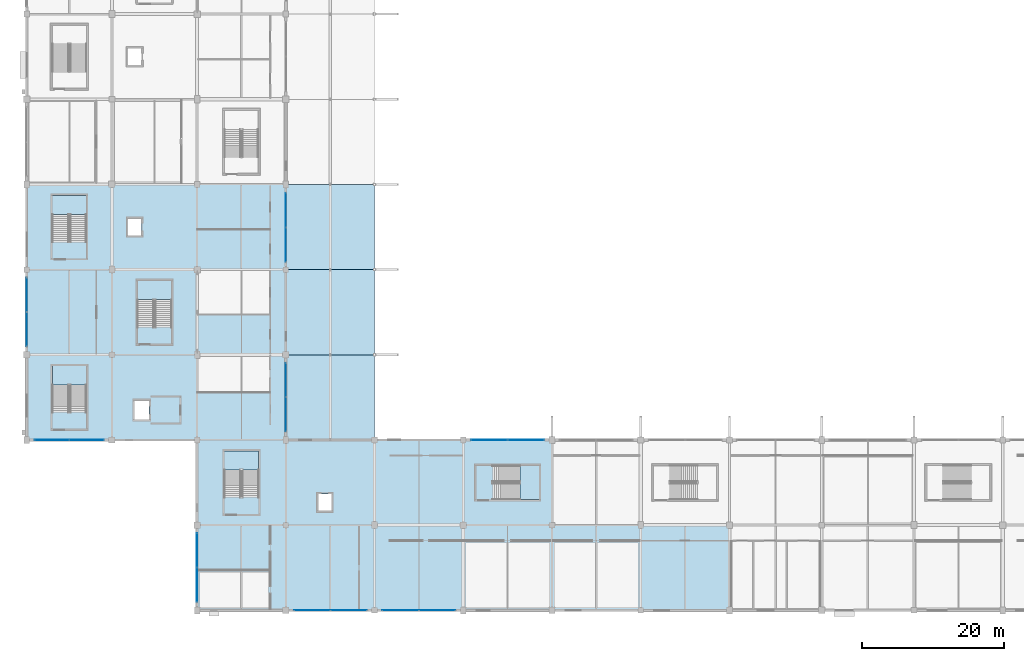
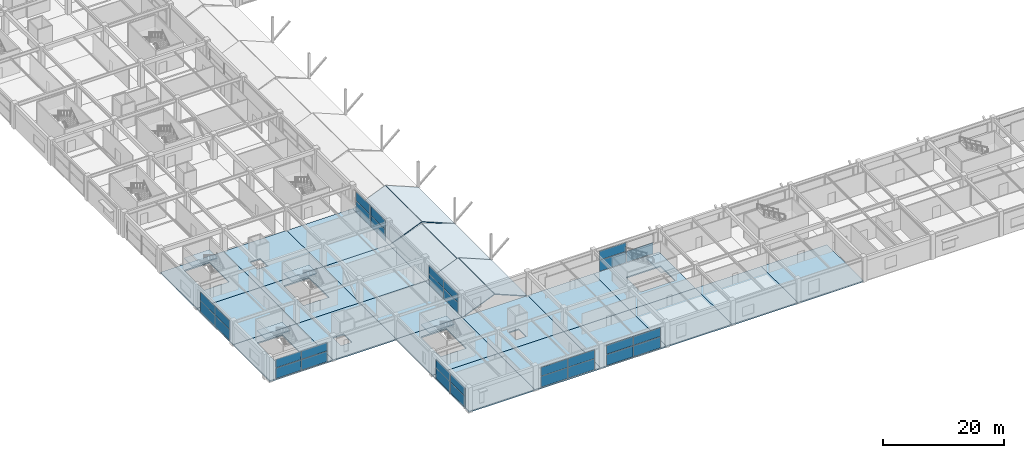
# One storey, part 55 of 116: 31 plates, 30 slabs, 13 elements without a shape of their own.
"""IFC4 building model written with IfcOpenShell, lengths in metres."""

from ifc_helpers import new_model, si_unit, direction, frame, origin, origin_2d, place, context, subcontext, project, spatial, polyline, rectangle, outline, extrude, material, layer, layer_set, type_object, element, aggregate, save


model = new_model("IFC4")

# Units and contexts
model_context = context("Model", 3, precision=1e-05, world=origin(), true_north=direction((0.0, 1.0)))
body_context = subcontext(model_context, "Body", "Model", "MODEL_VIEW")
ifc_project = project(units=[si_unit("LENGTHUNIT", "METRE"), si_unit("AREAUNIT", "SQUARE_METRE"), si_unit("VOLUMEUNIT", "CUBIC_METRE"), si_unit("PLANEANGLEUNIT", "RADIAN"), si_unit("MASSUNIT", "GRAM", prefix="KILO")], contexts=[model_context])

# Site, building, storey
site_placement = place(None, origin())
site = spatial("IfcSite", under=ifc_project, at=site_placement, CompositionType="ELEMENT")
building_placement = place(site_placement, origin())
building = spatial("IfcBuilding", under=site, at=building_placement, Name="Kazenohara Klinker Stadium", CompositionType="ELEMENT")
storey_placement = place(building_placement, frame((0.0, 0.0, 10.199951171875)))
storey = spatial("IfcBuildingStorey", under=building, at=storey_placement, Name="L02", CompositionType="ELEMENT", Elevation=10.199951171875)

# Curtain wall, plates
ifc_material_1 = material(Name="Anodised aluminium and triple glazing", Category="aluminium")
ifc_layer_1 = layer(ifc_material_1, 0.179931640625)
ifc_layer_set_1 = layer_set([ifc_layer_1], Name="Anodised aluminium and triple glazing")
curtain_wall_type_1 = type_object("IfcCurtainWallType", Name="CW-SYS-02", PredefinedType="USERDEFINED", material=ifc_layer_set_1)
curtain_wall_1_placement = place(storey_placement, origin())
curtain_wall_1 = element("IfcCurtainWall", 1, at=curtain_wall_1_placement, inside=storey, type_object=curtain_wall_type_1, Name="Unitised facade curtain wall CW02 L02 X0-3", ObjectType="UNITISED CURTAIN WALL", PredefinedType="USERDEFINED")
ifc_material_2 = material(Name="Low-e laminated triple glazing", Category="glass")
ifc_layer_2 = layer(ifc_material_2, 0.035888671875)
ifc_layer_set_2 = layer_set([ifc_layer_2], Name="Low-e laminated triple glazing")
plate_type_1 = type_object("IfcPlateType", Name="CW-PNL-36", PredefinedType="CURTAIN_PANEL", material=ifc_layer_set_2)
plate_1_placement = place(storey_placement, frame((3.53076171875, 36.0, 0.06494140625), z_axis=(0.0, 0.0, 1.0), x_axis=(1.0, 0.0, 0.0)))
plate_1 = element("IfcPlate", 2, at=plate_1_placement, type_object=plate_type_1, Name="CW02 panel 1.1", PredefinedType="CURTAIN_PANEL", context=body_context, shape_type="SweptSolid", body=[
    extrude(rectangle(XDim=4.823486328125, YDim=0.035888671875, at=origin_2d()), origin(), (0.0, 0.0, 1.0), 2.113525390625),
])
plate_2_placement = place(storey_placement, frame((3.53076171875, 36.0, 2.24365234375), z_axis=(0.0, 0.0, 1.0), x_axis=(1.0, 0.0, 0.0)))
plate_2 = element("IfcPlate", 3, at=plate_2_placement, type_object=plate_type_1, Name="CW02 panel 1.2", PredefinedType="CURTAIN_PANEL", context=body_context, shape_type="SweptSolid", body=[
    extrude(rectangle(XDim=4.823486328125, YDim=0.035888671875, at=origin_2d()), origin(), (0.0, 0.0, 1.0), 1.71142578125),
])
plate_3_placement = place(storey_placement, frame((8.419189453125, 36.0, 0.06494140625), z_axis=(0.0, 0.0, 1.0), x_axis=(1.0, 0.0, 0.0)))
plate_3 = element("IfcPlate", 4, at=plate_3_placement, type_object=plate_type_1, Name="CW02 panel 2.1", PredefinedType="CURTAIN_PANEL", context=body_context, shape_type="SweptSolid", body=[
    extrude(rectangle(XDim=4.823486328125, YDim=0.035888671875, at=origin_2d()), origin(), (0.0, 0.0, 1.0), 2.113525390625),
])
plate_4_placement = place(storey_placement, frame((8.419189453125, 36.0, 2.24365234375), z_axis=(0.0, 0.0, 1.0), x_axis=(1.0, 0.0, 0.0)))
plate_4 = element("IfcPlate", 5, at=plate_4_placement, type_object=plate_type_1, Name="CW02 panel 2.2", PredefinedType="CURTAIN_PANEL", context=body_context, shape_type="SweptSolid", body=[
    extrude(rectangle(XDim=4.823486328125, YDim=0.035888671875, at=origin_2d()), origin(), (0.0, 0.0, 1.0), 1.71142578125),
])
aggregate(curtain_wall_1, [plate_1, plate_2, plate_3, plate_4])

ifc_layer_3 = layer(ifc_material_1, 0.18994140625)
ifc_layer_set_3 = layer_set([ifc_layer_3], Name="Anodised aluminium and triple glazing")
curtain_wall_type_2 = type_object("IfcCurtainWallType", Name="CW-SYS-05", PredefinedType="USERDEFINED", material=ifc_layer_set_3)
curtain_wall_2_placement = place(storey_placement, origin())
curtain_wall_2 = element("IfcCurtainWall", 6, at=curtain_wall_2_placement, inside=storey, type_object=curtain_wall_type_2, Name="Unitised facade curtain wall CW05 L02 Y2-1", ObjectType="UNITISED CURTAIN WALL", PredefinedType="USERDEFINED")
plate_5_placement = place(storey_placement, frame((24.0, 15.605712890625, 0.06494140625), z_axis=(0.0, 0.0, 1.0), x_axis=(0.0, 1.0, 0.0)))
plate_5 = element("IfcPlate", 7, at=plate_5_placement, type_object=plate_type_1, Name="CW05 panel 1.1", PredefinedType="CURTAIN_PANEL", context=body_context, shape_type="SweptSolid", body=[
    extrude(rectangle(XDim=4.7734375, YDim=0.035888671875, at=origin_2d()), origin(), (0.0, 0.0, 1.0), 2.113525390625),
])
plate_6_placement = place(storey_placement, frame((24.0, 15.605712890625, 2.24365234375), z_axis=(0.0, 0.0, 1.0), x_axis=(0.0, 1.0, 0.0)))
plate_6 = element("IfcPlate", 8, at=plate_6_placement, type_object=plate_type_1, Name="CW05 panel 1.2", PredefinedType="CURTAIN_PANEL", context=body_context, shape_type="SweptSolid", body=[
    extrude(rectangle(XDim=4.7734375, YDim=0.035888671875, at=origin_2d()), origin(), (0.0, 0.0, 1.0), 1.71142578125),
])
plate_7_placement = place(storey_placement, frame((24.0, 20.4443359375, 0.06494140625), z_axis=(0.0, 0.0, 1.0), x_axis=(0.0, 1.0, 0.0)))
plate_7 = element("IfcPlate", 9, at=plate_7_placement, type_object=plate_type_1, Name="CW05 panel 2.1", PredefinedType="CURTAIN_PANEL", context=body_context, shape_type="SweptSolid", body=[
    extrude(rectangle(XDim=4.7734375, YDim=0.035888671875, at=origin_2d()), origin(), (0.0, 0.0, 1.0), 2.113525390625),
])
plate_8_placement = place(storey_placement, frame((24.0, 20.4443359375, 2.24365234375), z_axis=(0.0, 0.0, 1.0), x_axis=(0.0, 1.0, 0.0)))
plate_8 = element("IfcPlate", 10, at=plate_8_placement, type_object=plate_type_1, Name="CW05 panel 2.2", PredefinedType="CURTAIN_PANEL", context=body_context, shape_type="SweptSolid", body=[
    extrude(rectangle(XDim=4.7734375, YDim=0.035888671875, at=origin_2d()), origin(), (0.0, 0.0, 1.0), 1.71142578125),
])
aggregate(curtain_wall_2, [plate_5, plate_6, plate_7, plate_8])

curtain_wall_3_placement = place(storey_placement, origin())
curtain_wall_3 = element("IfcCurtainWall", 11, at=curtain_wall_3_placement, inside=storey, type_object=curtain_wall_type_1, Name="Unitised facade curtain wall CW02 L02 Y3-5", ObjectType="UNITISED CURTAIN WALL", PredefinedType="USERDEFINED")
plate_9_placement = place(storey_placement, frame((36.5, 63.518310546875, 0.065185546875), z_axis=(0.0, 0.0, 1.0), x_axis=(0.0, 1.0, 0.0)))
plate_9 = element("IfcPlate", 12, at=plate_9_placement, type_object=plate_type_1, Name="CW02 panel 1.1", PredefinedType="CURTAIN_PANEL", context=body_context, shape_type="SweptSolid", body=[
    extrude(rectangle(XDim=4.798583984375, YDim=0.035888671875, at=origin_2d()), origin(), (0.0, 0.0, 1.0), 2.22998046875),
])
plate_10_placement = place(storey_placement, frame((36.5, 63.518310546875, 2.3603515625), z_axis=(0.0, 0.0, 1.0), x_axis=(0.0, 1.0, 0.0)))
plate_10 = element("IfcPlate", 13, at=plate_10_placement, type_object=plate_type_1, Name="CW02 panel 1.2", PredefinedType="CURTAIN_PANEL", context=body_context, shape_type="SweptSolid", body=[
    extrude(rectangle(XDim=4.798583984375, YDim=0.035888671875, at=origin_2d()), origin(), (0.0, 0.0, 1.0), 1.806884765625),
])
plate_11_placement = place(storey_placement, frame((36.5, 68.3818359375, 0.065185546875), z_axis=(0.0, 0.0, 1.0), x_axis=(0.0, 1.0, 0.0)))
plate_11 = element("IfcPlate", 14, at=plate_11_placement, type_object=plate_type_1, Name="CW02 panel 2.1", PredefinedType="CURTAIN_PANEL", context=body_context, shape_type="SweptSolid", body=[
    extrude(rectangle(XDim=4.798583984375, YDim=0.035888671875, at=origin_2d()), origin(), (0.0, 0.0, 1.0), 2.22998046875),
])
plate_12_placement = place(storey_placement, frame((36.5, 68.3818359375, 2.3603515625), z_axis=(0.0, 0.0, 1.0), x_axis=(0.0, 1.0, 0.0)))
plate_12 = element("IfcPlate", 15, at=plate_12_placement, type_object=plate_type_1, Name="CW02 panel 2.2", PredefinedType="CURTAIN_PANEL", context=body_context, shape_type="SweptSolid", body=[
    extrude(rectangle(XDim=4.798583984375, YDim=0.035888671875, at=origin_2d()), origin(), (0.0, 0.0, 1.0), 1.806884765625),
])
aggregate(curtain_wall_3, [plate_9, plate_10, plate_11, plate_12])

ifc_layer_4 = layer(ifc_material_1, 0.199951171875)
ifc_layer_set_4 = layer_set([ifc_layer_4], Name="Anodised aluminium and triple glazing")
curtain_wall_type_3 = type_object("IfcCurtainWallType", Name="CW-SYS-03", PredefinedType="USERDEFINED", material=ifc_layer_set_4)
curtain_wall_4_placement = place(storey_placement, origin())
curtain_wall_4 = element("IfcCurtainWall", 16, at=curtain_wall_4_placement, inside=storey, type_object=curtain_wall_type_3, Name="Unitised facade curtain wall CW03 L02 X4-1", ObjectType="UNITISED CURTAIN WALL", PredefinedType="USERDEFINED")
plate_13_placement = place(storey_placement, frame((52.668212890625, 12.0, 0.06494140625), z_axis=(0.0, 0.0, 1.0), x_axis=(1.0, 0.0, 0.0)))
plate_13 = element("IfcPlate", 17, at=plate_13_placement, type_object=plate_type_1, Name="CW03 panel 1.1", PredefinedType="CURTAIN_PANEL", context=body_context, shape_type="SweptSolid", body=[
    extrude(rectangle(XDim=5.098388671875, YDim=0.035888671875, at=origin_2d()), origin(), (0.0, 0.0, 1.0), 2.223388671875),
])
plate_14_placement = place(storey_placement, frame((52.668212890625, 12.0, 2.353515625), z_axis=(0.0, 0.0, 1.0), x_axis=(1.0, 0.0, 0.0)))
plate_14 = element("IfcPlate", 18, at=plate_14_placement, type_object=plate_type_1, Name="CW03 panel 1.2", PredefinedType="CURTAIN_PANEL", context=body_context, shape_type="SweptSolid", body=[
    extrude(rectangle(XDim=5.098388671875, YDim=0.035888671875, at=origin_2d()), origin(), (0.0, 0.0, 1.0), 1.801513671875),
])
plate_15_placement = place(storey_placement, frame((57.831787109375, 12.0, 0.06494140625), z_axis=(0.0, 0.0, 1.0), x_axis=(1.0, 0.0, 0.0)))
plate_15 = element("IfcPlate", 19, at=plate_15_placement, type_object=plate_type_1, Name="CW03 panel 2.1", PredefinedType="CURTAIN_PANEL", context=body_context, shape_type="SweptSolid", body=[
    extrude(rectangle(XDim=5.098388671875, YDim=0.035888671875, at=origin_2d()), origin(), (0.0, 0.0, 1.0), 2.223388671875),
])
plate_16_placement = place(storey_placement, frame((57.831787109375, 12.0, 2.353515625), z_axis=(0.0, 0.0, 1.0), x_axis=(1.0, 0.0, 0.0)))
plate_16 = element("IfcPlate", 20, at=plate_16_placement, type_object=plate_type_1, Name="CW03 panel 2.2", PredefinedType="CURTAIN_PANEL", context=body_context, shape_type="SweptSolid", body=[
    extrude(rectangle(XDim=5.098388671875, YDim=0.035888671875, at=origin_2d()), origin(), (0.0, 0.0, 1.0), 1.801513671875),
])
aggregate(curtain_wall_4, [plate_13, plate_14, plate_15, plate_16])

curtain_wall_5_placement = place(storey_placement, origin())
curtain_wall_5 = element("IfcCurtainWall", 21, at=curtain_wall_5_placement, inside=storey, type_object=curtain_wall_type_1, Name="Unitised facade curtain wall CW02 L02 X5-3", ObjectType="UNITISED CURTAIN WALL", PredefinedType="USERDEFINED")
plate_17_placement = place(storey_placement, frame((65.168212890625, 36.0, 0.06494140625), z_axis=(0.0, 0.0, 1.0), x_axis=(1.0, 0.0, 0.0)))
plate_17 = element("IfcPlate", 22, at=plate_17_placement, type_object=plate_type_1, Name="CW02 panel 1.1", PredefinedType="CURTAIN_PANEL", context=body_context, shape_type="SweptSolid", body=[
    extrude(rectangle(XDim=5.098388671875, YDim=0.035888671875, at=origin_2d()), origin(), (0.0, 0.0, 1.0), 2.223388671875),
])
plate_18_placement = place(storey_placement, frame((65.168212890625, 36.0, 2.353515625), z_axis=(0.0, 0.0, 1.0), x_axis=(1.0, 0.0, 0.0)))
plate_18 = element("IfcPlate", 23, at=plate_18_placement, type_object=plate_type_1, Name="CW02 panel 1.2", PredefinedType="CURTAIN_PANEL", context=body_context, shape_type="SweptSolid", body=[
    extrude(rectangle(XDim=5.098388671875, YDim=0.035888671875, at=origin_2d()), origin(), (0.0, 0.0, 1.0), 1.801513671875),
])
plate_19_placement = place(storey_placement, frame((70.331787109375, 36.0, 0.06494140625), z_axis=(0.0, 0.0, 1.0), x_axis=(1.0, 0.0, 0.0)))
plate_19 = element("IfcPlate", 24, at=plate_19_placement, type_object=plate_type_1, Name="CW02 panel 2.1", PredefinedType="CURTAIN_PANEL", context=body_context, shape_type="SweptSolid", body=[
    extrude(rectangle(XDim=5.098388671875, YDim=0.035888671875, at=origin_2d()), origin(), (0.0, 0.0, 1.0), 2.223388671875),
])
aggregate(curtain_wall_5, [plate_17, plate_18, plate_19])

curtain_wall_6_placement = place(storey_placement, origin())
curtain_wall_6 = element("IfcCurtainWall", 25, at=curtain_wall_6_placement, inside=storey, type_object=curtain_wall_type_3, Name="Unitised facade curtain wall CW03 L02 Y0-4", ObjectType="UNITISED CURTAIN WALL", PredefinedType="USERDEFINED")
ifc_layer_5 = layer(ifc_material_2, 0.0439453125)
ifc_layer_set_5 = layer_set([ifc_layer_5], Name="Low-e laminated triple glazing")
plate_type_2 = type_object("IfcPlateType", Name="CW-PNL-44", PredefinedType="CURTAIN_PANEL", material=ifc_layer_set_5)
plate_20_placement = place(storey_placement, frame((0.0, 51.583251953125, 0.0751953125), z_axis=(0.0, 0.0, 1.0), x_axis=(0.0, 1.0, 0.0)))
plate_20 = element("IfcPlate", 26, at=plate_20_placement, type_object=plate_type_2, Name="CW03 panel 1.1", PredefinedType="CURTAIN_PANEL", context=body_context, shape_type="SweptSolid", body=[
    extrude(rectangle(XDim=4.80859375, YDim=0.0439453125, at=origin_2d()), origin(), (0.0, 0.0, 1.0), 2.153564453125),
])
plate_21_placement = place(storey_placement, frame((0.0, 51.583251953125, 2.3037109375), z_axis=(0.0, 0.0, 1.0), x_axis=(0.0, 1.0, 0.0)))
plate_21 = element("IfcPlate", 27, at=plate_21_placement, type_object=plate_type_2, Name="CW03 panel 1.2", PredefinedType="CURTAIN_PANEL", context=body_context, shape_type="SweptSolid", body=[
    extrude(rectangle(XDim=4.80859375, YDim=0.0439453125, at=origin_2d()), origin(), (0.0, 0.0, 1.0), 1.741455078125),
])
plate_22_placement = place(storey_placement, frame((0.0, 56.466796875, 0.0751953125), z_axis=(0.0, 0.0, 1.0), x_axis=(0.0, 1.0, 0.0)))
plate_22 = element("IfcPlate", 28, at=plate_22_placement, type_object=plate_type_2, Name="CW03 panel 2.1", PredefinedType="CURTAIN_PANEL", context=body_context, shape_type="SweptSolid", body=[
    extrude(rectangle(XDim=4.80859375, YDim=0.0439453125, at=origin_2d()), origin(), (0.0, 0.0, 1.0), 2.153564453125),
])
plate_23_placement = place(storey_placement, frame((0.0, 56.466796875, 2.3037109375), z_axis=(0.0, 0.0, 1.0), x_axis=(0.0, 1.0, 0.0)))
plate_23 = element("IfcPlate", 29, at=plate_23_placement, type_object=plate_type_2, Name="CW03 panel 2.2", PredefinedType="CURTAIN_PANEL", context=body_context, shape_type="SweptSolid", body=[
    extrude(rectangle(XDim=4.80859375, YDim=0.0439453125, at=origin_2d()), origin(), (0.0, 0.0, 1.0), 1.741455078125),
])
aggregate(curtain_wall_6, [plate_20, plate_21, plate_22, plate_23])

ifc_layer_6 = layer(ifc_material_1, 0.159912109375)
ifc_layer_set_6 = layer_set([ifc_layer_6], Name="Anodised aluminium and triple glazing")
curtain_wall_type_4 = type_object("IfcCurtainWallType", Name="CW-SYS-01", PredefinedType="USERDEFINED", material=ifc_layer_set_6)
curtain_wall_7_placement = place(storey_placement, origin())
curtain_wall_7 = element("IfcCurtainWall", 30, at=curtain_wall_7_placement, inside=storey, type_object=curtain_wall_type_4, Name="Unitised facade curtain wall CW01 L02 Y3-3", ObjectType="UNITISED CURTAIN WALL", PredefinedType="USERDEFINED")
plate_24_placement = place(storey_placement, frame((36.5, 39.608154296875, 0.0751953125), z_axis=(0.0, 0.0, 1.0), x_axis=(0.0, 1.0, 0.0)))
plate_24 = element("IfcPlate", 31, at=plate_24_placement, type_object=plate_type_2, Name="CW01 panel 1.1", PredefinedType="CURTAIN_PANEL", context=body_context, shape_type="SweptSolid", body=[
    extrude(rectangle(XDim=4.758544921875, YDim=0.0439453125, at=origin_2d()), origin(), (0.0, 0.0, 1.0), 2.098388671875),
])
plate_25_placement = place(storey_placement, frame((36.5, 39.608154296875, 2.24853515625), z_axis=(0.0, 0.0, 1.0), x_axis=(0.0, 1.0, 0.0)))
plate_25 = element("IfcPlate", 32, at=plate_25_placement, type_object=plate_type_2, Name="CW01 panel 1.2", PredefinedType="CURTAIN_PANEL", context=body_context, shape_type="SweptSolid", body=[
    extrude(rectangle(XDim=4.758544921875, YDim=0.0439453125, at=origin_2d()), origin(), (0.0, 0.0, 1.0), 1.696533203125),
])
plate_26_placement = place(storey_placement, frame((36.5, 44.441650390625, 0.0751953125), z_axis=(0.0, 0.0, 1.0), x_axis=(0.0, 1.0, 0.0)))
plate_26 = element("IfcPlate", 33, at=plate_26_placement, type_object=plate_type_2, Name="CW01 panel 2.1", PredefinedType="CURTAIN_PANEL", context=body_context, shape_type="SweptSolid", body=[
    extrude(rectangle(XDim=4.758544921875, YDim=0.0439453125, at=origin_2d()), origin(), (0.0, 0.0, 1.0), 2.098388671875),
])
plate_27_placement = place(storey_placement, frame((36.5, 44.441650390625, 2.24853515625), z_axis=(0.0, 0.0, 1.0), x_axis=(0.0, 1.0, 0.0)))
plate_27 = element("IfcPlate", 34, at=plate_27_placement, type_object=plate_type_2, Name="CW01 panel 2.2", PredefinedType="CURTAIN_PANEL", context=body_context, shape_type="SweptSolid", body=[
    extrude(rectangle(XDim=4.758544921875, YDim=0.0439453125, at=origin_2d()), origin(), (0.0, 0.0, 1.0), 1.696533203125),
])
aggregate(curtain_wall_7, [plate_24, plate_25, plate_26, plate_27])

curtain_wall_8_placement = place(storey_placement, origin())
curtain_wall_8 = element("IfcCurtainWall", 35, at=curtain_wall_8_placement, inside=storey, type_object=curtain_wall_type_1, Name="Unitised facade curtain wall CW02 L02 X3-1", ObjectType="UNITISED CURTAIN WALL", PredefinedType="USERDEFINED")
plate_28_placement = place(storey_placement, frame((40.208251953125, 12.0, 0.0751953125), z_axis=(0.0, 0.0, 1.0), x_axis=(1.0, 0.0, 0.0)))
plate_28 = element("IfcPlate", 36, at=plate_28_placement, type_object=plate_type_2, Name="CW02 panel 1.1", PredefinedType="CURTAIN_PANEL", context=body_context, shape_type="SweptSolid", body=[
    extrude(rectangle(XDim=5.05859375, YDim=0.0439453125, at=origin_2d()), origin(), (0.0, 0.0, 1.0), 2.153564453125),
])
plate_29_placement = place(storey_placement, frame((40.208251953125, 12.0, 2.3037109375), z_axis=(0.0, 0.0, 1.0), x_axis=(1.0, 0.0, 0.0)))
plate_29 = element("IfcPlate", 37, at=plate_29_placement, type_object=plate_type_2, Name="CW02 panel 1.2", PredefinedType="CURTAIN_PANEL", context=body_context, shape_type="SweptSolid", body=[
    extrude(rectangle(XDim=5.05859375, YDim=0.0439453125, at=origin_2d()), origin(), (0.0, 0.0, 1.0), 1.741455078125),
])
plate_30_placement = place(storey_placement, frame((45.341796875, 12.0, 0.0751953125), z_axis=(0.0, 0.0, 1.0), x_axis=(1.0, 0.0, 0.0)))
plate_30 = element("IfcPlate", 38, at=plate_30_placement, type_object=plate_type_2, Name="CW02 panel 2.1", PredefinedType="CURTAIN_PANEL", context=body_context, shape_type="SweptSolid", body=[
    extrude(rectangle(XDim=5.05859375, YDim=0.0439453125, at=origin_2d()), origin(), (0.0, 0.0, 1.0), 2.153564453125),
])
plate_31_placement = place(storey_placement, frame((45.341796875, 12.0, 2.3037109375), z_axis=(0.0, 0.0, 1.0), x_axis=(1.0, 0.0, 0.0)))
plate_31 = element("IfcPlate", 39, at=plate_31_placement, type_object=plate_type_2, Name="CW02 panel 2.2", PredefinedType="CURTAIN_PANEL", context=body_context, shape_type="SweptSolid", body=[
    extrude(rectangle(XDim=5.05859375, YDim=0.0439453125, at=origin_2d()), origin(), (0.0, 0.0, 1.0), 1.741455078125),
])
aggregate(curtain_wall_8, [plate_28, plate_29, plate_30, plate_31])

# Slabs
ifc_material_3 = material(Name="Concrete C40/50", Category="concrete")
ifc_layer_7 = layer(ifc_material_3, 0.25)
ifc_layer_set_7 = layer_set([ifc_layer_7], Name="Concrete C40/50")
slab_type_1 = type_object("IfcSlabType", Name="SLB-FLR-250", PredefinedType="FLOOR", material=ifc_layer_set_7)
slab_1_placement = place(storey_placement, frame((0.0, 0.0, -0.25)))
element("IfcSlab", 40, at=slab_1_placement, inside=storey, type_object=slab_type_1, Name="Floor slab FS03 L02 1/D", PredefinedType="FLOOR", context=body_context, shape_type="SweptSolid", body=[
    extrude(outline(polyline([(0.0, 36.0), (12.0, 36.0), (12.0, 48.0), (0.0, 48.0), (0.0, 36.0)]), holes=[polyline([(8.39990234375, 39.919921875), (8.39990234375, 46.4599609375), (3.60009765625, 46.4599609375), (3.60009765625, 39.919921875), (8.39990234375, 39.919921875)])]), origin(), (0.0, 0.0, 1.0), 0.25),
])
slab_2_placement = place(storey_placement, frame((0.0, 0.0, -0.25)))
element("IfcSlab", 41, at=slab_2_placement, inside=storey, type_object=slab_type_1, Name="Floor slab FS03 L02 1/E", PredefinedType="FLOOR", context=body_context, shape_type="SweptSolid", body=[
    extrude(outline(polyline([(0.0, 48.0), (12.0, 48.0), (12.0, 60.0), (0.0, 60.0), (0.0, 48.0)])), origin(), (0.0, 0.0, 1.0), 0.25),
])
slab_3_placement = place(storey_placement, frame((0.0, 0.0, -0.25)))
element("IfcSlab", 42, at=slab_3_placement, inside=storey, type_object=slab_type_1, Name="Floor slab FS03 L02 1/F", PredefinedType="FLOOR", context=body_context, shape_type="SweptSolid", body=[
    extrude(outline(polyline([(0.0, 60.0), (12.0, 60.0), (12.0, 72.0), (0.0, 72.0), (0.0, 60.0)]), holes=[polyline([(8.409912109375, 63.929931640625), (8.409912109375, 70.4599609375), (3.590087890625, 70.4599609375), (3.590087890625, 63.929931640625), (8.409912109375, 63.929931640625)])]), origin(), (0.0, 0.0, 1.0), 0.25),
])
slab_4_placement = place(storey_placement, frame((0.0, 0.0, -0.25)))
element("IfcSlab", 43, at=slab_4_placement, inside=storey, type_object=slab_type_1, Name="Floor slab FS03 L02 2/D", PredefinedType="FLOOR", context=body_context, shape_type="SweptSolid", body=[
    extrude(outline(polyline([(12.0, 36.0), (24.0, 36.0), (24.0, 48.0), (12.0, 48.0), (12.0, 36.0)]), holes=[polyline([(15.14990234375, 38.85009765625), (17.25, 38.85009765625), (17.25, 41.550048828125), (15.14990234375, 41.550048828125), (15.14990234375, 38.85009765625)])]), origin(), (0.0, 0.0, 1.0), 0.25),
])
slab_5_placement = place(storey_placement, frame((0.0, 0.0, -0.25)))
element("IfcSlab", 44, at=slab_5_placement, inside=storey, type_object=slab_type_1, Name="Floor slab FS03 L02 2/E", PredefinedType="FLOOR", context=body_context, shape_type="SweptSolid", body=[
    extrude(outline(polyline([(12.0, 48.0), (24.0, 48.0), (24.0, 60.0), (12.0, 60.0), (12.0, 48.0)]), holes=[polyline([(20.39990234375, 51.919921875), (20.39990234375, 58.4599609375), (15.60009765625, 58.4599609375), (15.60009765625, 51.919921875), (20.39990234375, 51.919921875)])]), origin(), (0.0, 0.0, 1.0), 0.25),
])
slab_6_placement = place(storey_placement, frame((0.0, 0.0, -0.25)))
element("IfcSlab", 45, at=slab_6_placement, inside=storey, type_object=slab_type_1, Name="Floor slab FS03 L02 2/F", PredefinedType="FLOOR", context=body_context, shape_type="SweptSolid", body=[
    extrude(outline(polyline([(12.0, 60.0), (24.0, 60.0), (24.0, 72.0), (12.0, 72.0), (12.0, 60.0)]), holes=[polyline([(14.25, 64.800048828125), (16.14990234375, 64.800048828125), (16.14990234375, 67.199951171875), (14.25, 67.199951171875), (14.25, 64.800048828125)])]), origin(), (0.0, 0.0, 1.0), 0.25),
])
slab_7_placement = place(storey_placement, frame((0.0, 0.0, -0.25)))
element("IfcSlab", 46, at=slab_7_placement, inside=storey, type_object=slab_type_1, Name="Floor slab FS03 L02 3/B", PredefinedType="FLOOR", context=body_context, shape_type="SweptSolid", body=[
    extrude(outline(polyline([(24.0, 12.0), (36.5, 12.0), (36.5, 24.0), (24.0, 24.0), (24.0, 12.0)])), origin(), (0.0, 0.0, 1.0), 0.25),
])
slab_8_placement = place(storey_placement, frame((0.0, 0.0, -0.25)))
element("IfcSlab", 47, at=slab_8_placement, inside=storey, type_object=slab_type_1, Name="Floor slab FS03 L02 3/C", PredefinedType="FLOOR", context=body_context, shape_type="SweptSolid", body=[
    extrude(outline(polyline([(24.0, 24.0), (36.5, 24.0), (36.5, 36.0), (24.0, 36.0), (24.0, 24.0)]), holes=[polyline([(32.679931640625, 27.949951171875), (32.679931640625, 34.4599609375), (27.820068359375, 34.4599609375), (27.820068359375, 27.949951171875), (32.679931640625, 27.949951171875)])]), origin(), (0.0, 0.0, 1.0), 0.25),
])
slab_9_placement = place(storey_placement, frame((0.0, 0.0, -0.25)))
element("IfcSlab", 48, at=slab_9_placement, inside=storey, type_object=slab_type_1, Name="Floor slab FS03 L02 3/D", PredefinedType="FLOOR", context=body_context, shape_type="SweptSolid", body=[
    extrude(outline(polyline([(24.0, 36.0), (36.5, 36.0), (36.5, 48.0), (24.0, 48.0), (24.0, 36.0)])), origin(), (0.0, 0.0, 1.0), 0.25),
])
slab_10_placement = place(storey_placement, frame((0.0, 0.0, -0.25)))
element("IfcSlab", 49, at=slab_10_placement, inside=storey, type_object=slab_type_1, Name="Floor slab FS03 L02 3/E", PredefinedType="FLOOR", context=body_context, shape_type="SweptSolid", body=[
    extrude(outline(polyline([(24.0, 48.0), (36.5, 48.0), (36.5, 60.0), (24.0, 60.0), (24.0, 48.0)])), origin(), (0.0, 0.0, 1.0), 0.25),
])
slab_11_placement = place(storey_placement, frame((0.0, 0.0, -0.25)))
element("IfcSlab", 50, at=slab_11_placement, inside=storey, type_object=slab_type_1, Name="Floor slab FS03 L02 3/F", PredefinedType="FLOOR", context=body_context, shape_type="SweptSolid", body=[
    extrude(outline(polyline([(24.0, 60.0), (36.5, 60.0), (36.5, 72.0), (24.0, 72.0), (24.0, 60.0)])), origin(), (0.0, 0.0, 1.0), 0.25),
])
slab_12_placement = place(storey_placement, frame((0.0, 0.0, -0.25)))
element("IfcSlab", 51, at=slab_12_placement, inside=storey, type_object=slab_type_1, Name="Floor slab FS03 L02 4/B", PredefinedType="FLOOR", context=body_context, shape_type="SweptSolid", body=[
    extrude(outline(polyline([(36.5, 12.0), (49.0, 12.0), (49.0, 24.0), (36.5, 24.0), (36.5, 12.0)])), origin(), (0.0, 0.0, 1.0), 0.25),
])
slab_13_placement = place(storey_placement, frame((0.0, 0.0, -0.25)))
element("IfcSlab", 52, at=slab_13_placement, inside=storey, type_object=slab_type_1, Name="Floor slab FS03 L02 4/C", PredefinedType="FLOOR", context=body_context, shape_type="SweptSolid", body=[
    extrude(outline(polyline([(36.5, 24.0), (49.0, 24.0), (49.0, 36.0), (36.5, 36.0), (36.5, 24.0)]), holes=[polyline([(41.050048828125, 26.0), (42.949951171875, 26.0), (42.949951171875, 28.39990234375), (41.050048828125, 28.39990234375), (41.050048828125, 26.0)])]), origin(), (0.0, 0.0, 1.0), 0.25),
])
slab_14_placement = place(storey_placement, frame((0.0, 0.0, -0.25)))
element("IfcSlab", 53, at=slab_14_placement, inside=storey, type_object=slab_type_1, Name="Floor slab FS03 L02 5/B", PredefinedType="FLOOR", context=body_context, shape_type="SweptSolid", body=[
    extrude(outline(polyline([(49.0, 12.0), (61.5, 12.0), (61.5, 24.0), (49.0, 24.0), (49.0, 12.0)])), origin(), (0.0, 0.0, 1.0), 0.25),
])
slab_15_placement = place(storey_placement, frame((0.0, 0.0, -0.25)))
element("IfcSlab", 54, at=slab_15_placement, inside=storey, type_object=slab_type_1, Name="Floor slab FS03 L02 5/C", PredefinedType="FLOOR", context=body_context, shape_type="SweptSolid", body=[
    extrude(outline(polyline([(49.0, 24.0), (61.5, 24.0), (61.5, 36.0), (49.0, 36.0), (49.0, 24.0)])), origin(), (0.0, 0.0, 1.0), 0.25),
])
slab_16_placement = place(storey_placement, frame((0.0, 0.0, -0.25)))
element("IfcSlab", 55, at=slab_16_placement, inside=storey, type_object=slab_type_1, Name="Floor slab FS03 L02 6/B", PredefinedType="FLOOR", context=body_context, shape_type="SweptSolid", body=[
    extrude(outline(polyline([(61.5, 12.0), (74.0, 12.0), (74.0, 24.0), (61.5, 24.0), (61.5, 12.0)])), origin(), (0.0, 0.0, 1.0), 0.25),
])
slab_17_placement = place(storey_placement, frame((0.0, 0.0, -0.25)))
element("IfcSlab", 56, at=slab_17_placement, inside=storey, type_object=slab_type_1, Name="Floor slab FS03 L02 6/C", PredefinedType="FLOOR", context=body_context, shape_type="SweptSolid", body=[
    extrude(outline(polyline([(61.5, 24.0), (74.0, 24.0), (74.0, 36.0), (61.5, 36.0), (61.5, 24.0)]), holes=[polyline([(65.669921875, 27.60009765625), (72.2099609375, 27.60009765625), (72.2099609375, 32.39990234375), (65.669921875, 32.39990234375), (65.669921875, 27.60009765625)])]), origin(), (0.0, 0.0, 1.0), 0.25),
])
slab_18_placement = place(storey_placement, frame((0.0, 0.0, -0.25)))
element("IfcSlab", 57, at=slab_18_placement, inside=storey, type_object=slab_type_1, Name="Floor slab FS03 L02 7/B", PredefinedType="FLOOR", context=body_context, shape_type="SweptSolid", body=[
    extrude(outline(polyline([(74.0, 12.0), (86.5, 12.0), (86.5, 24.0), (74.0, 24.0), (74.0, 12.0)])), origin(), (0.0, 0.0, 1.0), 0.25),
])
slab_19_placement = place(storey_placement, frame((0.0, 0.0, -0.25)))
element("IfcSlab", 58, at=slab_19_placement, inside=storey, type_object=slab_type_1, Name="Floor slab FS03 L02 8/B", PredefinedType="FLOOR", context=body_context, shape_type="SweptSolid", body=[
    extrude(outline(polyline([(86.5, 12.0), (99.0, 12.0), (99.0, 24.0), (86.5, 24.0), (86.5, 12.0)])), origin(), (0.0, 0.0, 1.0), 0.25),
])

# Stair, slab
stair_type_1 = type_object("IfcStairType", Name="STR-DL-2300", PredefinedType="HALF_TURN_STAIR", material=ifc_material_3)
stair_1_placement = place(storey_placement, origin())
stair_1 = element("IfcStair", 59, at=stair_1_placement, inside=storey, type_object=stair_type_1, Name="L02 Enclosed escape stair ST01", PredefinedType="HALF_TURN_STAIR")
ifc_layer_8 = layer(ifc_material_3, 0.199951171875)
ifc_layer_set_8 = layer_set([ifc_layer_8], Name="Concrete C40/50")
slab_type_2 = type_object("IfcSlabType", Name="SLB-LND-200", PredefinedType="LANDING", material=ifc_layer_set_8)
slab_20_placement = place(storey_placement, frame((0.0, 0.0, 2.35009765625)))
slab_20 = element("IfcSlab", 60, at=slab_20_placement, type_object=slab_type_2, Name="ST01 landing 1", PredefinedType="LANDING", context=body_context, shape_type="SweptSolid", body=[
    extrude(outline(polyline([(8.39990234375, 43.760009765625), (8.39990234375, 46.4599609375), (3.60009765625, 46.4599609375), (3.60009765625, 43.760009765625), (8.39990234375, 43.760009765625)])), origin(), (0.0, 0.0, 1.0), 0.199951171875),
])
aggregate(stair_1, [slab_20])

stair_type_2 = type_object("IfcStairType", Name="STR-DL-2310", PredefinedType="HALF_TURN_STAIR", material=ifc_material_3)
stair_2_placement = place(storey_placement, origin())
stair_2 = element("IfcStair", 61, at=stair_2_placement, inside=storey, type_object=stair_type_2, Name="L02 Enclosed escape stair ST02", PredefinedType="HALF_TURN_STAIR")
slab_21_placement = place(storey_placement, frame((0.0, 0.0, 2.35009765625)))
slab_21 = element("IfcSlab", 62, at=slab_21_placement, type_object=slab_type_2, Name="ST02 landing 1", PredefinedType="LANDING", context=body_context, shape_type="SweptSolid", body=[
    extrude(outline(polyline([(8.409912109375, 67.77001953125), (8.409912109375, 70.4599609375), (3.590087890625, 70.4599609375), (3.590087890625, 67.77001953125), (8.409912109375, 67.77001953125)])), origin(), (0.0, 0.0, 1.0), 0.199951171875),
])
aggregate(stair_2, [slab_21])

stair_type_3 = type_object("IfcStairType", Name="STR-DL-2330", PredefinedType="HALF_TURN_STAIR", material=ifc_material_3)
stair_3_placement = place(storey_placement, origin())
stair_3 = element("IfcStair", 63, at=stair_3_placement, inside=storey, type_object=stair_type_3, Name="L02 Enclosed escape stair ST07", PredefinedType="HALF_TURN_STAIR")
slab_22_placement = place(storey_placement, frame((0.0, 0.0, 2.35009765625)))
slab_22 = element("IfcSlab", 64, at=slab_22_placement, type_object=slab_type_2, Name="ST07 landing 1", PredefinedType="LANDING", context=body_context, shape_type="SweptSolid", body=[
    extrude(outline(polyline([(32.679931640625, 31.7900390625), (32.679931640625, 34.4599609375), (27.820068359375, 34.4599609375), (27.820068359375, 31.7900390625), (32.679931640625, 31.7900390625)])), origin(), (0.0, 0.0, 1.0), 0.199951171875),
])
aggregate(stair_3, [slab_22])

stair_4_placement = place(storey_placement, origin())
stair_4 = element("IfcStair", 65, at=stair_4_placement, inside=storey, type_object=stair_type_1, Name="L02 Enclosed escape stair ST13", PredefinedType="HALF_TURN_STAIR")
slab_23_placement = place(storey_placement, frame((0.0, 0.0, 2.35009765625)))
slab_23 = element("IfcSlab", 66, at=slab_23_placement, type_object=slab_type_2, Name="ST13 landing 1", PredefinedType="LANDING", context=body_context, shape_type="SweptSolid", body=[
    extrude(outline(polyline([(20.39990234375, 55.760009765625), (20.39990234375, 58.4599609375), (15.60009765625, 58.4599609375), (15.60009765625, 55.760009765625), (20.39990234375, 55.760009765625)])), origin(), (0.0, 0.0, 1.0), 0.199951171875),
])
aggregate(stair_4, [slab_23])

stair_5_placement = place(storey_placement, origin())
stair_5 = element("IfcStair", 67, at=stair_5_placement, inside=storey, type_object=stair_type_1, Name="L02 Enclosed escape stair ST25", PredefinedType="HALF_TURN_STAIR")
slab_24_placement = place(storey_placement, frame((0.0, 0.0, 2.35009765625)))
slab_24 = element("IfcSlab", 68, at=slab_24_placement, type_object=slab_type_2, Name="ST25 landing 1", PredefinedType="LANDING", context=body_context, shape_type="SweptSolid", body=[
    extrude(outline(polyline([(69.510009765625, 27.60009765625), (72.2099609375, 27.60009765625), (72.2099609375, 32.39990234375), (69.510009765625, 32.39990234375), (69.510009765625, 27.60009765625)])), origin(), (0.0, 0.0, 1.0), 0.199951171875),
])
aggregate(stair_5, [slab_24])

# Slabs
ifc_material_4 = material(Name="Steel S355", Category="steel")
ifc_layer_9 = layer(ifc_material_4, 0.169921875)
ifc_layer_set_9 = layer_set([ifc_layer_9], Name="Steel S355")
slab_type_3 = type_object("IfcSlabType", Name="SLB-ROOF-170", PredefinedType="ROOF", material=ifc_layer_set_9)
for number, where, z_axis, x_axis, name in (
    (69, (36.5, 36.0, -0.079833984375), (-0.380352293876, 0.0, 0.924841679718), (0.924841679718, 0.0, 0.380352293876), "Sloped snow-shedding wing roof RS02 L02 4/D A"),
    (70, (42.800048828125, 36.0, 2.469970703125), (0.380352293876, 0.0, 0.924841679718), (0.924841679718, 0.0, -0.380352293876), "Sloped snow-shedding wing roof RS02 L02 4/D B"),
):
    element("IfcSlab", number, at=place(storey_placement, frame(where, z_axis=z_axis, x_axis=x_axis)), inside=storey, type_object=slab_type_3, Name=name, PredefinedType="ROOF", context=body_context, shape_type="SweptSolid", body=[
        extrude(outline(polyline([(0.0, 0.0), (6.703797317791698, 0.0), (6.703797317791698, 12.0), (0.0, 12.0), (0.0, 0.0)])), origin(), (0.0, 0.0, -1.0), 0.169921875),
    ])
for number, where, z_axis, x_axis, name in (
    (71, (36.5, 48.0, -0.079833984375), (-0.327622925614, 0.0, 0.944808561886), (0.944808561886, 0.0, 0.327622925614), "Sloped snow-shedding wing roof RS02 L02 4/E A"),
    (72, (42.800048828125, 48.0, 2.070068359375), (0.327622925614, 0.0, 0.944808561886), (0.944808561886, 0.0, -0.327622925614), "Sloped snow-shedding wing roof RS02 L02 4/E B"),
):
    element("IfcSlab", number, at=place(storey_placement, frame(where, z_axis=z_axis, x_axis=x_axis)), inside=storey, type_object=slab_type_3, Name=name, PredefinedType="ROOF", context=body_context, shape_type="SweptSolid", body=[
        extrude(outline(polyline([(0.0, 0.0), (6.5621242461032345, 0.0), (6.5621242461032345, 12.0), (0.0, 12.0), (0.0, 0.0)])), origin(), (0.0, 0.0, -1.0), 0.169921875),
    ])
for number, where, z_axis, x_axis, name in (
    (73, (36.5, 60.0, -0.079833984375), (-0.380352293876, 0.0, 0.924841679718), (0.924841679718, 0.0, 0.380352293876), "Sloped snow-shedding wing roof RS02 L02 4/F A"),
    (74, (42.800048828125, 60.0, 2.469970703125), (0.380352293876, 0.0, 0.924841679718), (0.924841679718, 0.0, -0.380352293876), "Sloped snow-shedding wing roof RS02 L02 4/F B"),
):
    element("IfcSlab", number, at=place(storey_placement, frame(where, z_axis=z_axis, x_axis=x_axis)), inside=storey, type_object=slab_type_3, Name=name, PredefinedType="ROOF", context=body_context, shape_type="SweptSolid", body=[
        extrude(outline(polyline([(0.0, 0.0), (6.703797317791698, 0.0), (6.703797317791698, 12.0), (0.0, 12.0), (0.0, 0.0)])), origin(), (0.0, 0.0, -1.0), 0.169921875),
    ])

save(model, "model.ifc")
